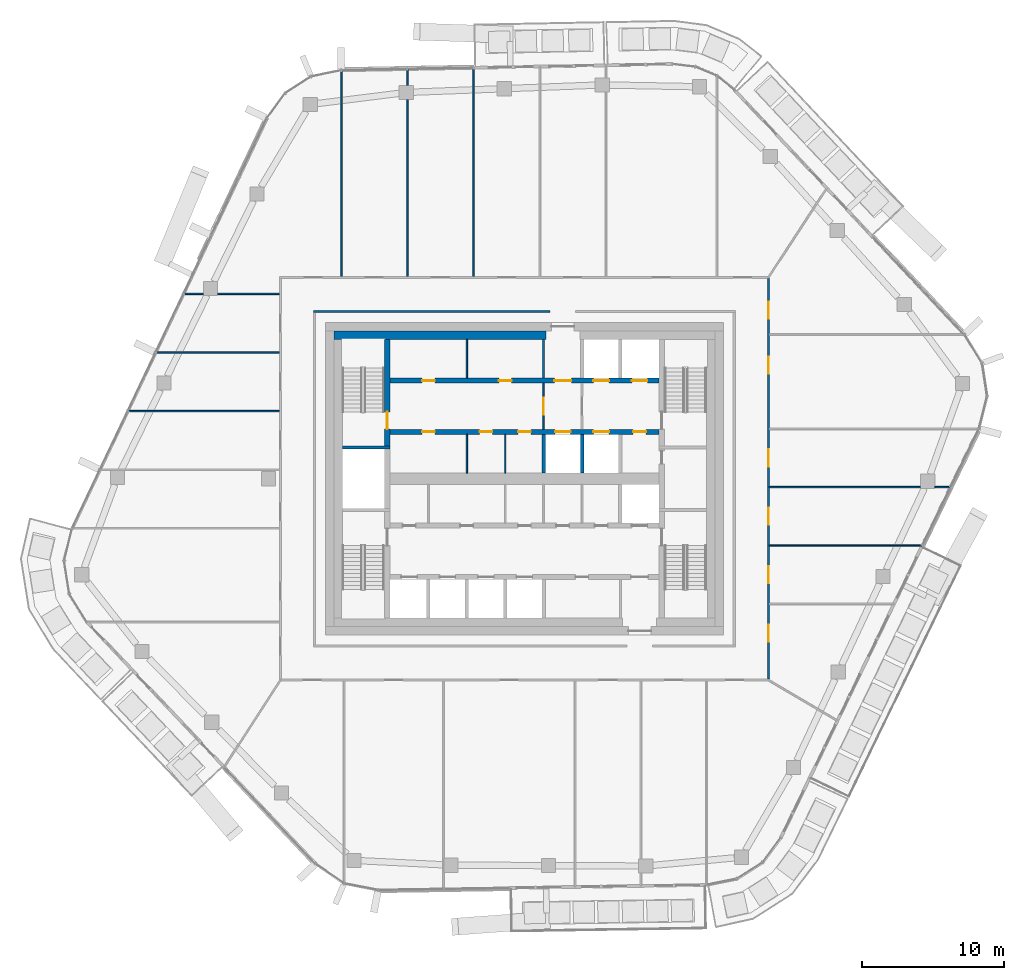
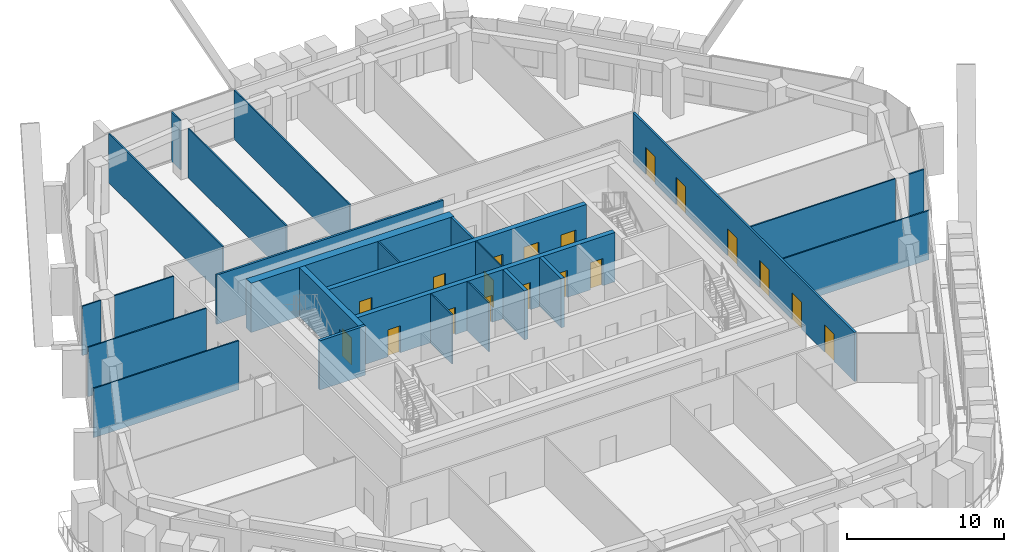
# One storey, part 15 of 24: 25 walls, 19 doors, 19 openings.
"""IFC4 building model written with IfcOpenShell, lengths in metres."""

from ifc_helpers import new_model, si_unit, direction, frame, frame_2d, origin, place, context, subcontext, project, spatial, rectangle, extrude, material, layer, layer_set, type_object, element, fill, save


model = new_model("IFC4")

# Units and contexts
model_context = context("Model", 3, precision=1e-05, world=origin(), true_north=direction((0.0, 1.0)))
body_context = subcontext(model_context, "Body", "Model", "MODEL_VIEW")
ifc_project = project(units=[si_unit("LENGTHUNIT", "METRE"), si_unit("AREAUNIT", "SQUARE_METRE"), si_unit("VOLUMEUNIT", "CUBIC_METRE"), si_unit("PLANEANGLEUNIT", "RADIAN"), si_unit("MASSUNIT", "GRAM", prefix="KILO")], contexts=[model_context])

# Site, building, storey
site_placement = place(None, origin())
site = spatial("IfcSite", under=ifc_project, at=site_placement, CompositionType="ELEMENT")
building_placement = place(site_placement, origin())
building = spatial("IfcBuilding", under=site, at=building_placement, Name="Dongbaek Canopy Tower", CompositionType="ELEMENT")
storey_placement = place(building_placement, frame((0.0, 0.0, 298.39990234375)))
storey = spatial("IfcBuildingStorey", under=building, at=storey_placement, Name="L63", CompositionType="ELEMENT", Elevation=298.39990234375)

# Wall, openings, doors
ifc_material_1 = material(Name="Concrete C60/75", Category="concrete")
ifc_layer_1 = layer(ifc_material_1, 0.35009765625)
ifc_layer_set_1 = layer_set([ifc_layer_1], Name="Core lobby wall 350 Concrete C60/75")
wall_type_1 = type_object("IfcWallType", Name="Core lobby wall 350 Concrete C60/75", PredefinedType="SHEAR", material=ifc_layer_set_1)
wall_1_placement = place(storey_placement, frame((-9.449951171875, 6.89990234375, 0.0), z_axis=(0.0, 0.0, 1.0), x_axis=(1.0, 0.0, 0.0)))
wall_1 = element("IfcWall", 1, at=wall_1_placement, inside=storey, type_object=wall_type_1, Name="Core wall", PredefinedType="SHEAR", context=body_context, shape_type="SweptSolid", body=[
    extrude(rectangle(XDim=18.89990234375, YDim=0.35009765625, at=frame_2d((9.449951171875, 0.0))), origin(), (0.0, 0.0, 1.0), 3.820068359375),
])
opening_1_placement = place(wall_1_placement, frame((11.550048828125, 0.0, 0.0)))
opening_1 = element("IfcOpeningElement", 2, at=opening_1_placement, cuts=wall_1, Name="Opening L63-D028", PredefinedType="OPENING", context=body_context, shape_type="SweptSolid", body=[
    extrude(rectangle(XDim=1.199951171875, YDim=2.10009765625, at=frame_2d((0.60009765625, 1.050048828125))), frame((0.0, 0.18505859375, 0.0), z_axis=(0.0, -1.0, 0.0), x_axis=(1.0, 0.0, 0.0)), (0.0, 0.0, 1.0), 0.3701171875),
])
opening_2_placement = place(wall_1_placement, frame((14.300048828125, 0.0, 0.0)))
opening_2 = element("IfcOpeningElement", 3, at=opening_2_placement, cuts=wall_1, Name="Opening L63-D029", PredefinedType="OPENING", context=body_context, shape_type="SweptSolid", body=[
    extrude(rectangle(XDim=1.10009765625, YDim=2.10009765625, at=frame_2d((0.550048828125, 1.050048828125))), frame((0.0, 0.18505859375, 0.0), z_axis=(0.0, -1.0, 0.0), x_axis=(1.0, 0.0, 0.0)), (0.0, 0.0, 1.0), 0.3701171875),
])
opening_3_placement = place(wall_1_placement, frame((17.0, 0.0, 0.0)))
opening_3 = element("IfcOpeningElement", 4, at=opening_3_placement, cuts=wall_1, Name="Opening L63-D030", PredefinedType="OPENING", context=body_context, shape_type="SweptSolid", body=[
    extrude(rectangle(XDim=1.10009765625, YDim=2.10009765625, at=frame_2d((0.550048828125, 1.050048828125))), frame((0.0, 0.18505859375, 0.0), z_axis=(0.0, -1.0, 0.0), x_axis=(1.0, 0.0, 0.0)), (0.0, 0.0, 1.0), 0.3701171875),
])
opening_4_placement = place(wall_1_placement, frame((2.25, 0.0, 0.0)))
opening_4 = element("IfcOpeningElement", 5, at=opening_4_placement, cuts=wall_1, Name="Opening L63-D041", PredefinedType="OPENING", context=body_context, shape_type="SweptSolid", body=[
    extrude(rectangle(XDim=0.89990234375, YDim=2.10009765625, at=frame_2d((0.449951171875, 1.050048828125))), frame((0.0, 0.18505859375, 0.0), z_axis=(0.0, -1.0, 0.0), x_axis=(1.0, 0.0, 0.0)), (0.0, 0.0, 1.0), 0.3701171875),
])
opening_5_placement = place(wall_1_placement, frame((7.64990234375, 0.0, 0.0)))
opening_5 = element("IfcOpeningElement", 6, at=opening_5_placement, cuts=wall_1, Name="Opening L63-D042", PredefinedType="OPENING", context=body_context, shape_type="SweptSolid", body=[
    extrude(rectangle(XDim=0.89990234375, YDim=2.10009765625, at=frame_2d((0.449951171875, 1.050048828125))), frame((0.0, 0.18505859375, 0.0), z_axis=(0.0, -1.0, 0.0), x_axis=(1.0, 0.0, 0.0)), (0.0, 0.0, 1.0), 0.3701171875),
])
ifc_material_2 = material(Name="Steel", Category="steel")
door_type_1 = type_object("IfcDoorType", Name="Core room door 900 x 2100", OperationType="SINGLE_SWING_LEFT", PredefinedType="DOOR", material=ifc_material_2)
door_1_placement = place(opening_4_placement, origin())
door_1 = element("IfcDoor", 7, at=door_1_placement, inside=storey, type_object=door_type_1, Name="Door L63-D041", OperationType="SINGLE_SWING_RIGHT", OverallHeight=2.10009765625, OverallWidth=0.89990234375, PredefinedType="DOOR", context=body_context, shape_type="SweptSolid", body=[
    extrude(rectangle(XDim=0.89990234375, YDim=2.10009765625, at=frame_2d((0.449951171875, 1.050048828125))), frame((0.0, 0.02490234375, 0.0), z_axis=(0.0, -1.0, 0.0), x_axis=(1.0, 0.0, 0.0)), (0.0, 0.0, 1.0), 0.050048828125),
])
fill(opening_4, door_1)
door_2_placement = place(opening_5_placement, origin())
door_2 = element("IfcDoor", 8, at=door_2_placement, inside=storey, type_object=door_type_1, Name="Door L63-D042", OperationType="SINGLE_SWING_LEFT", OverallHeight=2.10009765625, OverallWidth=0.89990234375, PredefinedType="DOOR", context=body_context, shape_type="SweptSolid", body=[
    extrude(rectangle(XDim=0.89990234375, YDim=2.10009765625, at=frame_2d((0.449951171875, 1.050048828125))), frame((0.0, 0.02490234375, 0.0), z_axis=(0.0, -1.0, 0.0), x_axis=(1.0, 0.0, 0.0)), (0.0, 0.0, 1.0), 0.050048828125),
])
fill(opening_5, door_2)
ifc_material_3 = material(Name="Steel", Category="steel")
door_type_2 = type_object("IfcDoorType", Name="Fire lobby door 1200 x 2100", OperationType="SINGLE_SWING_LEFT", PredefinedType="DOOR", material=ifc_material_3)
door_3_placement = place(opening_1_placement, origin())
door_3 = element("IfcDoor", 9, at=door_3_placement, inside=storey, type_object=door_type_2, Name="Door L63-D028", OperationType="SINGLE_SWING_LEFT", OverallHeight=2.10009765625, OverallWidth=1.199951171875, PredefinedType="DOOR", context=body_context, shape_type="SweptSolid", body=[
    extrude(rectangle(XDim=1.199951171875, YDim=2.10009765625, at=frame_2d((0.60009765625, 1.050048828125))), frame((0.0, 0.02490234375, 0.0), z_axis=(0.0, -1.0, 0.0), x_axis=(1.0, 0.0, 0.0)), (0.0, 0.0, 1.0), 0.050048828125),
])
fill(opening_1, door_3)
ifc_material_4 = material(Name="Stainless steel", Category="steel")
door_type_3 = type_object("IfcDoorType", Name="Lift landing door 1100 x 2100", OperationType="DOUBLE_DOOR_SLIDING", PredefinedType="DOOR", material=ifc_material_4)
door_4_placement = place(opening_2_placement, origin())
door_4 = element("IfcDoor", 10, at=door_4_placement, inside=storey, type_object=door_type_3, Name="Landing door FF1", OperationType="DOUBLE_DOOR_SLIDING", OverallHeight=2.10009765625, OverallWidth=1.10009765625, PredefinedType="DOOR", context=body_context, shape_type="SweptSolid", body=[
    extrude(rectangle(XDim=1.10009765625, YDim=2.10009765625, at=frame_2d((0.550048828125, 1.050048828125))), frame((0.0, 0.02490234375, 0.0), z_axis=(0.0, -1.0, 0.0), x_axis=(1.0, 0.0, 0.0)), (0.0, 0.0, 1.0), 0.050048828125),
])
fill(opening_2, door_4)
door_5_placement = place(opening_3_placement, origin())
door_5 = element("IfcDoor", 11, at=door_5_placement, inside=storey, type_object=door_type_3, Name="Landing door FF2", OperationType="DOUBLE_DOOR_SLIDING", OverallHeight=2.10009765625, OverallWidth=1.10009765625, PredefinedType="DOOR", context=body_context, shape_type="SweptSolid", body=[
    extrude(rectangle(XDim=1.10009765625, YDim=2.10009765625, at=frame_2d((0.550048828125, 1.050048828125))), frame((0.0, 0.02490234375, 0.0), z_axis=(0.0, -1.0, 0.0), x_axis=(1.0, 0.0, 0.0)), (0.0, 0.0, 1.0), 0.050048828125),
])
fill(opening_3, door_5)

wall_2_placement = place(storey_placement, frame((9.449951171875, 3.300048828125, 0.0), z_axis=(0.0, 0.0, 1.0), x_axis=(-1.0, 0.0, 0.0)))
wall_2 = element("IfcWall", 12, at=wall_2_placement, inside=storey, type_object=wall_type_1, Name="Core wall", PredefinedType="SHEAR", context=body_context, shape_type="SweptSolid", body=[
    extrude(rectangle(XDim=18.89990234375, YDim=0.35009765625, at=frame_2d((9.449951171875, 0.0))), origin(), (0.0, 0.0, 1.0), 3.820068359375),
])
opening_6_placement = place(wall_2_placement, frame((6.199951171875, 0.0, 0.0)))
opening_6 = element("IfcOpeningElement", 13, at=opening_6_placement, cuts=wall_2, Name="Opening L63-D031", PredefinedType="OPENING", context=body_context, shape_type="SweptSolid", body=[
    extrude(rectangle(XDim=1.10009765625, YDim=2.10009765625, at=frame_2d((0.550048828125, 1.050048828125))), frame((0.0, 0.18505859375, 0.0), z_axis=(0.0, -1.0, 0.0), x_axis=(1.0, 0.0, 0.0)), (0.0, 0.0, 1.0), 0.3701171875),
])
opening_7_placement = place(wall_2_placement, frame((3.5, 0.0, 0.0)))
opening_7 = element("IfcOpeningElement", 14, at=opening_7_placement, cuts=wall_2, Name="Opening L63-D032", PredefinedType="OPENING", context=body_context, shape_type="SweptSolid", body=[
    extrude(rectangle(XDim=1.10009765625, YDim=2.10009765625, at=frame_2d((0.550048828125, 1.050048828125))), frame((0.0, 0.18505859375, 0.0), z_axis=(0.0, -1.0, 0.0), x_axis=(1.0, 0.0, 0.0)), (0.0, 0.0, 1.0), 0.3701171875),
])
opening_8_placement = place(wall_2_placement, frame((0.89990234375, 0.0, 0.0)))
opening_8 = element("IfcOpeningElement", 15, at=opening_8_placement, cuts=wall_2, Name="Opening L63-D033", PredefinedType="OPENING", context=body_context, shape_type="SweptSolid", body=[
    extrude(rectangle(XDim=0.89990234375, YDim=2.10009765625, at=frame_2d((0.449951171875, 1.050048828125))), frame((0.0, 0.18505859375, 0.0), z_axis=(0.0, -1.0, 0.0), x_axis=(1.0, 0.0, 0.0)), (0.0, 0.0, 1.0), 0.3701171875),
])
opening_9_placement = place(wall_2_placement, frame((15.75, 0.0, 0.0)))
opening_9 = element("IfcOpeningElement", 16, at=opening_9_placement, cuts=wall_2, Name="Opening L63-D043", PredefinedType="OPENING", context=body_context, shape_type="SweptSolid", body=[
    extrude(rectangle(XDim=0.89990234375, YDim=2.10009765625, at=frame_2d((0.449951171875, 1.050048828125))), frame((0.0, 0.18505859375, 0.0), z_axis=(0.0, -1.0, 0.0), x_axis=(1.0, 0.0, 0.0)), (0.0, 0.0, 1.0), 0.3701171875),
])
opening_10_placement = place(wall_2_placement, frame((11.699951171875, 0.0, 0.0)))
opening_10 = element("IfcOpeningElement", 17, at=opening_10_placement, cuts=wall_2, Name="Opening L63-D044", PredefinedType="OPENING", context=body_context, shape_type="SweptSolid", body=[
    extrude(rectangle(XDim=0.89990234375, YDim=2.10009765625, at=frame_2d((0.449951171875, 1.050048828125))), frame((0.0, 0.18505859375, 0.0), z_axis=(0.0, -1.0, 0.0), x_axis=(1.0, 0.0, 0.0)), (0.0, 0.0, 1.0), 0.3701171875),
])
opening_11_placement = place(wall_2_placement, frame((9.0, 0.0, 0.0)))
opening_11 = element("IfcOpeningElement", 18, at=opening_11_placement, cuts=wall_2, Name="Opening L63-D045", PredefinedType="OPENING", context=body_context, shape_type="SweptSolid", body=[
    extrude(rectangle(XDim=0.89990234375, YDim=2.10009765625, at=frame_2d((0.449951171875, 1.050048828125))), frame((0.0, 0.18505859375, 0.0), z_axis=(0.0, -1.0, 0.0), x_axis=(1.0, 0.0, 0.0)), (0.0, 0.0, 1.0), 0.3701171875),
])
door_6_placement = place(opening_8_placement, origin())
door_6 = element("IfcDoor", 19, at=door_6_placement, inside=storey, type_object=door_type_1, Name="Door L63-D033", OperationType="SINGLE_SWING_LEFT", OverallHeight=2.10009765625, OverallWidth=0.89990234375, PredefinedType="DOOR", context=body_context, shape_type="SweptSolid", body=[
    extrude(rectangle(XDim=0.89990234375, YDim=2.10009765625, at=frame_2d((0.449951171875, 1.050048828125))), frame((0.0, 0.02490234375, 0.0), z_axis=(0.0, -1.0, 0.0), x_axis=(1.0, 0.0, 0.0)), (0.0, 0.0, 1.0), 0.050048828125),
])
fill(opening_8, door_6)
door_7_placement = place(opening_9_placement, origin())
door_7 = element("IfcDoor", 20, at=door_7_placement, inside=storey, type_object=door_type_1, Name="Door L63-D043", OperationType="SINGLE_SWING_RIGHT", OverallHeight=2.10009765625, OverallWidth=0.89990234375, PredefinedType="DOOR", context=body_context, shape_type="SweptSolid", body=[
    extrude(rectangle(XDim=0.89990234375, YDim=2.10009765625, at=frame_2d((0.449951171875, 1.050048828125))), frame((0.0, 0.02490234375, 0.0), z_axis=(0.0, -1.0, 0.0), x_axis=(1.0, 0.0, 0.0)), (0.0, 0.0, 1.0), 0.050048828125),
])
fill(opening_9, door_7)
door_8_placement = place(opening_10_placement, origin())
door_8 = element("IfcDoor", 21, at=door_8_placement, inside=storey, type_object=door_type_1, Name="Door L63-D044", OperationType="SINGLE_SWING_LEFT", OverallHeight=2.10009765625, OverallWidth=0.89990234375, PredefinedType="DOOR", context=body_context, shape_type="SweptSolid", body=[
    extrude(rectangle(XDim=0.89990234375, YDim=2.10009765625, at=frame_2d((0.449951171875, 1.050048828125))), frame((0.0, 0.02490234375, 0.0), z_axis=(0.0, -1.0, 0.0), x_axis=(1.0, 0.0, 0.0)), (0.0, 0.0, 1.0), 0.050048828125),
])
fill(opening_10, door_8)
door_9_placement = place(opening_11_placement, origin())
door_9 = element("IfcDoor", 22, at=door_9_placement, inside=storey, type_object=door_type_1, Name="Door L63-D045", OperationType="SINGLE_SWING_RIGHT", OverallHeight=2.10009765625, OverallWidth=0.89990234375, PredefinedType="DOOR", context=body_context, shape_type="SweptSolid", body=[
    extrude(rectangle(XDim=0.89990234375, YDim=2.10009765625, at=frame_2d((0.449951171875, 1.050048828125))), frame((0.0, 0.02490234375, 0.0), z_axis=(0.0, -1.0, 0.0), x_axis=(1.0, 0.0, 0.0)), (0.0, 0.0, 1.0), 0.050048828125),
])
fill(opening_11, door_9)
door_10_placement = place(opening_6_placement, origin())
door_10 = element("IfcDoor", 23, at=door_10_placement, inside=storey, type_object=door_type_3, Name="Landing door SV1", OperationType="DOUBLE_DOOR_SLIDING", OverallHeight=2.10009765625, OverallWidth=1.10009765625, PredefinedType="DOOR", context=body_context, shape_type="SweptSolid", body=[
    extrude(rectangle(XDim=1.10009765625, YDim=2.10009765625, at=frame_2d((0.550048828125, 1.050048828125))), frame((0.0, 0.02490234375, 0.0), z_axis=(0.0, -1.0, 0.0), x_axis=(1.0, 0.0, 0.0)), (0.0, 0.0, 1.0), 0.050048828125),
])
fill(opening_6, door_10)
door_11_placement = place(opening_7_placement, origin())
door_11 = element("IfcDoor", 24, at=door_11_placement, inside=storey, type_object=door_type_3, Name="Landing door FF3", OperationType="DOUBLE_DOOR_SLIDING", OverallHeight=2.10009765625, OverallWidth=1.10009765625, PredefinedType="DOOR", context=body_context, shape_type="SweptSolid", body=[
    extrude(rectangle(XDim=1.10009765625, YDim=2.10009765625, at=frame_2d((0.550048828125, 1.050048828125))), frame((0.0, 0.02490234375, 0.0), z_axis=(0.0, -1.0, 0.0), x_axis=(1.0, 0.0, 0.0)), (0.0, 0.0, 1.0), 0.050048828125),
])
fill(opening_7, door_11)

# Walls
ifc_material_5 = material(Name="Concrete C60/75", Category="concrete")
ifc_layer_2 = layer(ifc_material_5, 0.60009765625)
ifc_layer_set_2 = layer_set([ifc_layer_2], Name="Core wall lining 600 Concrete C60/75")
wall_type_2 = type_object("IfcWallType", Name="Core wall lining 600 Concrete C60/75", PredefinedType="SHEAR", material=ifc_layer_set_2)
wall_3_placement = place(storey_placement, frame((-13.39990234375, 10.10009765625, 0.0), z_axis=(0.0, 0.0, 1.0), x_axis=(1.0, 0.0, 0.0)))
element("IfcWall", 25, at=wall_3_placement, inside=storey, type_object=wall_type_2, Name="Core wall lining", PredefinedType="SHEAR", context=body_context, shape_type="SweptSolid", body=[
    extrude(rectangle(XDim=14.89990234375, YDim=0.60009765625, at=frame_2d((7.449951171875, 0.0))), origin(), (0.0, 0.0, 1.0), 3.820068359375),
])
ifc_material_6 = material(Name="Gypsum board partition, steel stud, 2 x 15 mm fire board", Category="steel")
ifc_layer_3 = layer(ifc_material_6, 0.14990234375)
ifc_layer_set_3 = layer_set([ifc_layer_3], Name="Fire-rated partition 150 gypsum board")
wall_type_3 = type_object("IfcWallType", Name="Fire-rated partition 150 gypsum board", PredefinedType="PARTITIONING", material=ifc_layer_set_3)
wall_4_placement = place(storey_placement, frame((-14.824951171875, 11.75, 0.0), z_axis=(0.0, 0.0, 1.0), x_axis=(1.0, 0.0, 0.0)))
element("IfcWall", 26, at=wall_4_placement, inside=storey, type_object=wall_type_3, Name="Corridor partition", PredefinedType="PARTITIONING", context=body_context, shape_type="SweptSolid", body=[
    extrude(rectangle(XDim=16.625, YDim=0.14990234375, at=frame_2d((8.3125, 0.0))), origin(), (0.0, 0.0, 1.0), 3.820068359375),
])

# Wall, openings, doors
wall_5_placement = place(storey_placement, frame((17.14990234375, 14.074951171875, 0.0), z_axis=(0.0, 0.0, 1.0), x_axis=(0.0, -1.0, 0.0)))
wall_5 = element("IfcWall", 27, at=wall_5_placement, inside=storey, type_object=wall_type_3, Name="Corridor partition", PredefinedType="PARTITIONING", context=body_context, shape_type="SweptSolid", body=[
    extrude(rectangle(XDim=28.14990234375, YDim=0.14990234375, at=frame_2d((14.074951171875, 0.0))), origin(), (0.0, 0.0, 1.0), 3.820068359375),
])
opening_12_placement = place(wall_5_placement, frame((24.325927734375, 0.0, 0.0)))
opening_12 = element("IfcOpeningElement", 28, at=opening_12_placement, cuts=wall_5, Name="Opening L63-D010", PredefinedType="OPENING", context=body_context, shape_type="SweptSolid", body=[
    extrude(rectangle(XDim=1.199951171875, YDim=2.10009765625, at=frame_2d((0.60009765625, 1.050048828125))), frame((0.0, 0.0849609375, 0.0), z_axis=(0.0, -1.0, 0.0), x_axis=(1.0, 0.0, 0.0)), (0.0, 0.0, 1.0), 0.169921875),
])
opening_13_placement = place(wall_5_placement, frame((20.219970703125, 0.0, 0.0)))
opening_13 = element("IfcOpeningElement", 29, at=opening_13_placement, cuts=wall_5, Name="Opening L63-D011", PredefinedType="OPENING", context=body_context, shape_type="SweptSolid", body=[
    extrude(rectangle(XDim=1.199951171875, YDim=2.10009765625, at=frame_2d((0.60009765625, 1.050048828125))), frame((0.0, 0.0849609375, 0.0), z_axis=(0.0, -1.0, 0.0), x_axis=(1.0, 0.0, 0.0)), (0.0, 0.0, 1.0), 0.169921875),
])
opening_14_placement = place(wall_5_placement, frame((16.114013671875, 0.0, 0.0)))
opening_14 = element("IfcOpeningElement", 30, at=opening_14_placement, cuts=wall_5, Name="Opening L63-D012", PredefinedType="OPENING", context=body_context, shape_type="SweptSolid", body=[
    extrude(rectangle(XDim=1.199951171875, YDim=2.10009765625, at=frame_2d((0.60009765625, 1.050048828125))), frame((0.0, 0.0849609375, 0.0), z_axis=(0.0, -1.0, 0.0), x_axis=(1.0, 0.0, 0.0)), (0.0, 0.0, 1.0), 0.169921875),
])
opening_15_placement = place(wall_5_placement, frame((12.012451171875, 0.0, 0.0)))
opening_15 = element("IfcOpeningElement", 31, at=opening_15_placement, cuts=wall_5, Name="Opening L63-D013", PredefinedType="OPENING", context=body_context, shape_type="SweptSolid", body=[
    extrude(rectangle(XDim=1.199951171875, YDim=2.10009765625, at=frame_2d((0.60009765625, 1.050048828125))), frame((0.0, 0.0849609375, 0.0), z_axis=(0.0, -1.0, 0.0), x_axis=(1.0, 0.0, 0.0)), (0.0, 0.0, 1.0), 0.169921875),
])
opening_16_placement = place(wall_5_placement, frame((5.50439453125, 0.0, 0.0)))
opening_16 = element("IfcOpeningElement", 32, at=opening_16_placement, cuts=wall_5, Name="Opening L63-D014", PredefinedType="OPENING", context=body_context, shape_type="SweptSolid", body=[
    extrude(rectangle(XDim=1.199951171875, YDim=2.10009765625, at=frame_2d((0.60009765625, 1.050048828125))), frame((0.0, 0.0849609375, 0.0), z_axis=(0.0, -1.0, 0.0), x_axis=(1.0, 0.0, 0.0)), (0.0, 0.0, 1.0), 0.169921875),
])
opening_17_placement = place(wall_5_placement, frame((1.6220703125, 0.0, 0.0)))
opening_17 = element("IfcOpeningElement", 33, at=opening_17_placement, cuts=wall_5, Name="Opening L63-D015", PredefinedType="OPENING", context=body_context, shape_type="SweptSolid", body=[
    extrude(rectangle(XDim=1.199951171875, YDim=2.10009765625, at=frame_2d((0.60009765625, 1.050048828125))), frame((0.0, 0.0849609375, 0.0), z_axis=(0.0, -1.0, 0.0), x_axis=(1.0, 0.0, 0.0)), (0.0, 0.0, 1.0), 0.169921875),
])
ifc_material_7 = material(Name="Timber veneered door leaf", Category="wood")
door_type_4 = type_object("IfcDoorType", Name="Room door 1200 x 2100", OperationType="SINGLE_SWING_LEFT", PredefinedType="DOOR", material=ifc_material_7)
door_12_placement = place(opening_12_placement, origin())
door_12 = element("IfcDoor", 34, at=door_12_placement, inside=storey, type_object=door_type_4, Name="Door L63-D010", OperationType="SINGLE_SWING_LEFT", OverallHeight=2.10009765625, OverallWidth=1.199951171875, PredefinedType="DOOR", context=body_context, shape_type="SweptSolid", body=[
    extrude(rectangle(XDim=1.199951171875, YDim=2.10009765625, at=frame_2d((0.60009765625, 1.050048828125))), frame((0.0, 0.02490234375, 0.0), z_axis=(0.0, -1.0, 0.0), x_axis=(1.0, 0.0, 0.0)), (0.0, 0.0, 1.0), 0.050048828125),
])
fill(opening_12, door_12)
door_13_placement = place(opening_13_placement, origin())
door_13 = element("IfcDoor", 35, at=door_13_placement, inside=storey, type_object=door_type_4, Name="Door L63-D011", OperationType="SINGLE_SWING_RIGHT", OverallHeight=2.10009765625, OverallWidth=1.199951171875, PredefinedType="DOOR", context=body_context, shape_type="SweptSolid", body=[
    extrude(rectangle(XDim=1.199951171875, YDim=2.10009765625, at=frame_2d((0.60009765625, 1.050048828125))), frame((0.0, 0.02490234375, 0.0), z_axis=(0.0, -1.0, 0.0), x_axis=(1.0, 0.0, 0.0)), (0.0, 0.0, 1.0), 0.050048828125),
])
fill(opening_13, door_13)
door_14_placement = place(opening_14_placement, origin())
door_14 = element("IfcDoor", 36, at=door_14_placement, inside=storey, type_object=door_type_4, Name="Door L63-D012", OperationType="SINGLE_SWING_LEFT", OverallHeight=2.10009765625, OverallWidth=1.199951171875, PredefinedType="DOOR", context=body_context, shape_type="SweptSolid", body=[
    extrude(rectangle(XDim=1.199951171875, YDim=2.10009765625, at=frame_2d((0.60009765625, 1.050048828125))), frame((0.0, 0.02490234375, 0.0), z_axis=(0.0, -1.0, 0.0), x_axis=(1.0, 0.0, 0.0)), (0.0, 0.0, 1.0), 0.050048828125),
])
fill(opening_14, door_14)
door_15_placement = place(opening_15_placement, origin())
door_15 = element("IfcDoor", 37, at=door_15_placement, inside=storey, type_object=door_type_4, Name="Door L63-D013", OperationType="SINGLE_SWING_RIGHT", OverallHeight=2.10009765625, OverallWidth=1.199951171875, PredefinedType="DOOR", context=body_context, shape_type="SweptSolid", body=[
    extrude(rectangle(XDim=1.199951171875, YDim=2.10009765625, at=frame_2d((0.60009765625, 1.050048828125))), frame((0.0, 0.02490234375, 0.0), z_axis=(0.0, -1.0, 0.0), x_axis=(1.0, 0.0, 0.0)), (0.0, 0.0, 1.0), 0.050048828125),
])
fill(opening_15, door_15)
door_16_placement = place(opening_16_placement, origin())
door_16 = element("IfcDoor", 38, at=door_16_placement, inside=storey, type_object=door_type_4, Name="Door L63-D014", OperationType="SINGLE_SWING_LEFT", OverallHeight=2.10009765625, OverallWidth=1.199951171875, PredefinedType="DOOR", context=body_context, shape_type="SweptSolid", body=[
    extrude(rectangle(XDim=1.199951171875, YDim=2.10009765625, at=frame_2d((0.60009765625, 1.050048828125))), frame((0.0, 0.02490234375, 0.0), z_axis=(0.0, -1.0, 0.0), x_axis=(1.0, 0.0, 0.0)), (0.0, 0.0, 1.0), 0.050048828125),
])
fill(opening_16, door_16)
door_17_placement = place(opening_17_placement, origin())
door_17 = element("IfcDoor", 39, at=door_17_placement, inside=storey, type_object=door_type_4, Name="Door L63-D015", OperationType="SINGLE_SWING_RIGHT", OverallHeight=2.10009765625, OverallWidth=1.199951171875, PredefinedType="DOOR", context=body_context, shape_type="SweptSolid", body=[
    extrude(rectangle(XDim=1.199951171875, YDim=2.10009765625, at=frame_2d((0.60009765625, 1.050048828125))), frame((0.0, 0.02490234375, 0.0), z_axis=(0.0, -1.0, 0.0), x_axis=(1.0, 0.0, 0.0)), (0.0, 0.0, 1.0), 0.050048828125),
])
fill(opening_17, door_17)

# Walls
wall_6_placement = place(storey_placement, frame((1.35009765625, 7.074951171875, 0.0), z_axis=(0.0, 0.0, 1.0), x_axis=(0.0, 1.0, 0.0)))
element("IfcWall", 40, at=wall_6_placement, inside=storey, type_object=wall_type_3, Name="Fire lobby partition", PredefinedType="PARTITIONING", context=body_context, shape_type="SweptSolid", body=[
    extrude(rectangle(XDim=2.72509765625, YDim=0.14990234375, at=frame_2d((1.362548828125, 0.0))), origin(), (0.0, 0.0, 1.0), 3.820068359375),
])
ifc_material_8 = material(Name="Concrete C40/50", Category="concrete")
ifc_layer_4 = layer(ifc_material_8, 0.25)
ifc_layer_set_4 = layer_set([ifc_layer_4], Name="Lift shaft wall 250 Concrete C40/50")
wall_type_4 = type_object("IfcWallType", Name="Lift shaft wall 250 Concrete C40/50", PredefinedType="SOLIDWALL", material=ifc_layer_set_4)
for number, where, z_axis, x_axis, name in (
    (41, (4.050048828125, 0.39990234375, 0.0), (0.0, 0.0, 1.0), (0.0, 1.0, 0.0), "Lift shaft wall"),
    (42, (1.35009765625, 0.39990234375, 0.0), (0.0, 0.0, 1.0), (0.0, 1.0, 0.0), "Lift shaft wall"),
):
    element("IfcWall", number, at=place(storey_placement, frame(where, z_axis=z_axis, x_axis=x_axis)), inside=storey, type_object=wall_type_4, Name=name, PredefinedType="SOLIDWALL", context=body_context, shape_type="SweptSolid", body=[
        extrude(rectangle(XDim=2.72509765625, YDim=0.25, at=frame_2d((1.362548828125, 0.0))), origin(), (0.0, 0.0, 1.0), 3.820068359375),
    ])
ifc_material_9 = material(Name="Gypsum board partition, steel stud, 2 x 12.5 mm board", Category="steel")
ifc_layer_5 = layer(ifc_material_9, 0.10009765625)
ifc_layer_set_5 = layer_set([ifc_layer_5], Name="Partition 100 gypsum board")
wall_type_5 = type_object("IfcWallType", Name="Partition 100 gypsum board", PredefinedType="PARTITIONING", material=ifc_layer_set_5)
wall_7_placement = place(storey_placement, frame((17.22509765625, -4.69189453125, 0.0), z_axis=(0.0, 0.0, 1.0), x_axis=(1.0, 0.0, 0.0)))
element("IfcWall", 43, at=wall_7_placement, inside=storey, type_object=wall_type_5, Name="Partition", PredefinedType="PARTITIONING", context=body_context, shape_type="SweptSolid", body=[
    extrude(rectangle(XDim=10.723388671875, YDim=0.10009765625, at=frame_2d((5.36181640625, 0.0))), origin(), (0.0, 0.0, 1.0), 3.820068359375),
])
wall_8_placement = place(storey_placement, frame((17.22509765625, -0.5859375, 0.0), z_axis=(0.0, 0.0, 1.0), x_axis=(1.0, 0.0, 0.0)))
element("IfcWall", 44, at=wall_8_placement, inside=storey, type_object=wall_type_5, Name="Partition", PredefinedType="PARTITIONING", context=body_context, shape_type="SweptSolid", body=[
    extrude(rectangle(XDim=10.6259765625, YDim=0.10009765625, at=frame_2d((5.31298828125, 0.0))), origin(), (0.0, 0.0, 1.0), 3.820068359375),
])
wall_9_placement = place(storey_placement, frame((28.85107421875, -0.5859375, 0.0), z_axis=(0.0, 0.0, 1.0), x_axis=(1.0, 0.0, 0.0)))
element("IfcWall", 45, at=wall_9_placement, inside=storey, type_object=wall_type_5, Name="Partition", PredefinedType="PARTITIONING", context=body_context, shape_type="SweptSolid", body=[
    extrude(rectangle(XDim=1.0859375, YDim=0.10009765625, at=frame_2d((0.54296875, 0.0))), origin(), (0.0, 0.0, 1.0), 3.820068359375),
])
wall_10_placement = place(storey_placement, frame((-27.86669921875, 4.7548828125, 0.0), z_axis=(0.0, 0.0, 1.0), x_axis=(1.0, 0.0, 0.0)))
element("IfcWall", 46, at=wall_10_placement, inside=storey, type_object=wall_type_5, Name="Partition", PredefinedType="PARTITIONING", context=body_context, shape_type="SweptSolid", body=[
    extrude(rectangle(XDim=10.6416015625, YDim=0.10009765625, at=frame_2d((5.32080078125, 0.0))), origin(), (0.0, 0.0, 1.0), 3.820068359375),
])
wall_11_placement = place(storey_placement, frame((-25.909423828125, 8.875, 0.0), z_axis=(0.0, 0.0, 1.0), x_axis=(1.0, 0.0, 0.0)))
element("IfcWall", 47, at=wall_11_placement, inside=storey, type_object=wall_type_5, Name="Partition", PredefinedType="PARTITIONING", context=body_context, shape_type="SweptSolid", body=[
    extrude(rectangle(XDim=8.684326171875, YDim=0.10009765625, at=frame_2d((4.34228515625, 0.0))), origin(), (0.0, 0.0, 1.0), 3.820068359375),
])
wall_12_placement = place(storey_placement, frame((-23.9521484375, 12.9951171875, 0.0), z_axis=(0.0, 0.0, 1.0), x_axis=(1.0, 0.0, 0.0)))
element("IfcWall", 48, at=wall_12_placement, inside=storey, type_object=wall_type_5, Name="Partition", PredefinedType="PARTITIONING", context=body_context, shape_type="SweptSolid", body=[
    extrude(rectangle(XDim=1.376220703125, YDim=0.10009765625, at=frame_2d((0.68798828125, 0.0))), origin(), (0.0, 0.0, 1.0), 3.820068359375),
])
wall_13_placement = place(storey_placement, frame((-21.575927734375, 12.9951171875, 0.0), z_axis=(0.0, 0.0, 1.0), x_axis=(1.0, 0.0, 0.0)))
element("IfcWall", 49, at=wall_13_placement, inside=storey, type_object=wall_type_5, Name="Partition", PredefinedType="PARTITIONING", context=body_context, shape_type="SweptSolid", body=[
    extrude(rectangle(XDim=4.350830078125, YDim=0.10009765625, at=frame_2d((2.17529296875, 0.0))), origin(), (0.0, 0.0, 1.0), 3.820068359375),
])
wall_14_placement = place(storey_placement, frame((-3.574951171875, 14.22509765625, 0.0), z_axis=(0.0, 0.0, 1.0), x_axis=(0.0, 1.0, 0.0)))
element("IfcWall", 50, at=wall_14_placement, inside=storey, type_object=wall_type_5, Name="Partition", PredefinedType="PARTITIONING", context=body_context, shape_type="SweptSolid", body=[
    extrude(rectangle(XDim=14.651611328125, YDim=0.10009765625, at=frame_2d((7.32568359375, 0.0))), origin(), (0.0, 0.0, 1.0), 3.820068359375),
])
wall_15_placement = place(storey_placement, frame((-8.22998046875, 14.22509765625, 0.0), z_axis=(0.0, 0.0, 1.0), x_axis=(0.0, 1.0, 0.0)))
element("IfcWall", 51, at=wall_15_placement, inside=storey, type_object=wall_type_5, Name="Partition", PredefinedType="PARTITIONING", context=body_context, shape_type="SweptSolid", body=[
    extrude(rectangle(XDim=12.43896484375, YDim=0.10009765625, at=frame_2d((6.219482421875, 0.0))), origin(), (0.0, 0.0, 1.0), 3.820068359375),
])
wall_16_placement = place(storey_placement, frame((-8.22998046875, 27.6640625, 0.0), z_axis=(0.0, 0.0, 1.0), x_axis=(0.0, 1.0, 0.0)))
element("IfcWall", 52, at=wall_16_placement, inside=storey, type_object=wall_type_5, Name="Partition", PredefinedType="PARTITIONING", context=body_context, shape_type="SweptSolid", body=[
    extrude(rectangle(XDim=1.124755859375, YDim=0.10009765625, at=frame_2d((0.5625, 0.0))), origin(), (0.0, 0.0, 1.0), 3.820068359375),
])
wall_17_placement = place(storey_placement, frame((-12.875, 14.22509765625, 0.0), z_axis=(0.0, 0.0, 1.0), x_axis=(0.0, 1.0, 0.0)))
element("IfcWall", 53, at=wall_17_placement, inside=storey, type_object=wall_type_5, Name="Partition", PredefinedType="PARTITIONING", context=body_context, shape_type="SweptSolid", body=[
    extrude(rectangle(XDim=14.475341796875, YDim=0.10009765625, at=frame_2d((7.23779296875, 0.0))), origin(), (0.0, 0.0, 1.0), 3.820068359375),
])

# Wall, opening, door
wall_18_placement = place(storey_placement, frame((1.35009765625, 6.72509765625, 0.0), z_axis=(0.0, 0.0, 1.0), x_axis=(0.0, -1.0, 0.0)))
wall_18 = element("IfcWall", 54, at=wall_18_placement, inside=storey, type_object=wall_type_5, Name="Core partition", PredefinedType="PARTITIONING", context=body_context, shape_type="SweptSolid", body=[
    extrude(rectangle(XDim=3.25, YDim=0.10009765625, at=frame_2d((1.625, 0.0))), origin(), (0.0, 0.0, 1.0), 3.820068359375),
])
opening_18_placement = place(wall_18_placement, frame((1.02490234375, 0.0, 0.0)))
opening_18 = element("IfcOpeningElement", 55, at=opening_18_placement, cuts=wall_18, Name="Opening L63-D056", PredefinedType="OPENING", context=body_context, shape_type="SweptSolid", body=[
    extrude(rectangle(XDim=1.199951171875, YDim=2.10009765625, at=frame_2d((0.60009765625, 1.050048828125))), frame((0.0, 0.06005859375, 0.0), z_axis=(0.0, -1.0, 0.0), x_axis=(1.0, 0.0, 0.0)), (0.0, 0.0, 1.0), 0.1201171875),
])
door_18_placement = place(opening_18_placement, origin())
door_18 = element("IfcDoor", 56, at=door_18_placement, inside=storey, type_object=door_type_2, Name="Door L63-D056", OperationType="SINGLE_SWING_LEFT", OverallHeight=2.10009765625, OverallWidth=1.199951171875, PredefinedType="DOOR", context=body_context, shape_type="SweptSolid", body=[
    extrude(rectangle(XDim=1.199951171875, YDim=2.10009765625, at=frame_2d((0.60009765625, 1.050048828125))), frame((0.0, 0.02490234375, 0.0), z_axis=(0.0, -1.0, 0.0), x_axis=(1.0, 0.0, 0.0)), (0.0, 0.0, 1.0), 0.050048828125),
])
fill(opening_18, door_18)

# Walls
for number, where, z_axis, x_axis, name in (
    (57, (-1.35009765625, 0.39990234375, 0.0), (0.0, 0.0, 1.0), (0.0, 1.0, 0.0), "Core partition"),
    (58, (-4.050048828125, 0.39990234375, 0.0), (0.0, 0.0, 1.0), (0.0, 1.0, 0.0), "Core partition"),
    (59, (-4.050048828125, 7.074951171875, 0.0), (0.0, 0.0, 1.0), (0.0, 1.0, 0.0), "Core partition"),
):
    element("IfcWall", number, at=place(storey_placement, frame(where, z_axis=z_axis, x_axis=x_axis)), inside=storey, type_object=wall_type_5, Name=name, PredefinedType="PARTITIONING", context=body_context, shape_type="SweptSolid", body=[
        extrude(rectangle(XDim=2.72509765625, YDim=0.10009765625, at=frame_2d((1.362548828125, 0.0))), origin(), (0.0, 0.0, 1.0), 3.820068359375),
    ])
ifc_material_10 = material(Name="Concrete C60/75", Category="concrete")
ifc_layer_6 = layer(ifc_material_10, 0.199951171875)
ifc_layer_set_6 = layer_set([ifc_layer_6], Name="Riser wall 200 Concrete C60/75")
wall_type_6 = type_object("IfcWallType", Name="Riser wall 200 Concrete C60/75", PredefinedType="SHEAR", material=ifc_layer_set_6)
wall_19_placement = place(storey_placement, frame((-9.449951171875, 2.199951171875, 0.0), z_axis=(0.0, 0.0, 1.0), x_axis=(-1.0, 0.0, 0.0)))
element("IfcWall", 60, at=wall_19_placement, inside=storey, type_object=wall_type_6, Name="Riser wall", PredefinedType="SHEAR", context=body_context, shape_type="SweptSolid", body=[
    extrude(rectangle(XDim=3.35009765625, YDim=0.199951171875, at=frame_2d((1.675048828125, 0.0))), origin(), (0.0, 0.0, 1.0), 3.820068359375),
])

# Wall, opening, door
ifc_material_11 = material(Name="Concrete C60/75", Category="concrete")
ifc_layer_7 = layer(ifc_material_11, 0.39990234375)
ifc_layer_set_7 = layer_set([ifc_layer_7], Name="Stair wall 400 Concrete C60/75")
wall_type_7 = type_object("IfcWallType", Name="Stair wall 400 Concrete C60/75", PredefinedType="SHEAR", material=ifc_layer_set_7)
wall_20_placement = place(storey_placement, frame((-9.64990234375, 2.300048828125, 0.0), z_axis=(0.0, 0.0, 1.0), x_axis=(0.0, 1.0, 0.0)))
wall_20 = element("IfcWall", 61, at=wall_20_placement, inside=storey, type_object=wall_type_7, Name="Stair wall", PredefinedType="SHEAR", context=body_context, shape_type="SweptSolid", body=[
    extrude(rectangle(XDim=7.5, YDim=0.39990234375, at=frame_2d((3.75, 0.0))), origin(), (0.0, 0.0, 1.0), 3.820068359375),
])
opening_19_placement = place(wall_20_placement, frame((1.199951171875, 0.0, 0.0)))
opening_19 = element("IfcOpeningElement", 62, at=opening_19_placement, cuts=wall_20, Name="Opening L63-D053", PredefinedType="OPENING", context=body_context, shape_type="SweptSolid", body=[
    extrude(rectangle(XDim=1.199951171875, YDim=2.10009765625, at=frame_2d((0.60009765625, 1.050048828125))), frame((0.0, 0.2099609375, 0.0), z_axis=(0.0, -1.0, 0.0), x_axis=(1.0, 0.0, 0.0)), (0.0, 0.0, 1.0), 0.419921875),
])
ifc_material_12 = material(Name="Steel", Category="steel")
door_type_5 = type_object("IfcDoorType", Name="Stair door 1200 x 2100", OperationType="SINGLE_SWING_LEFT", PredefinedType="DOOR", material=ifc_material_12)
door_19_placement = place(opening_19_placement, origin())
door_19 = element("IfcDoor", 63, at=door_19_placement, inside=storey, type_object=door_type_5, Name="Stair C door", OperationType="SINGLE_SWING_RIGHT", OverallHeight=2.10009765625, OverallWidth=1.199951171875, PredefinedType="DOOR", context=body_context, shape_type="SweptSolid", body=[
    extrude(rectangle(XDim=1.199951171875, YDim=2.10009765625, at=frame_2d((0.60009765625, 1.050048828125))), frame((0.0, 0.02490234375, 0.0), z_axis=(0.0, -1.0, 0.0), x_axis=(1.0, 0.0, 0.0)), (0.0, 0.0, 1.0), 0.050048828125),
])
fill(opening_19, door_19)

save(model, "model.ifc")
